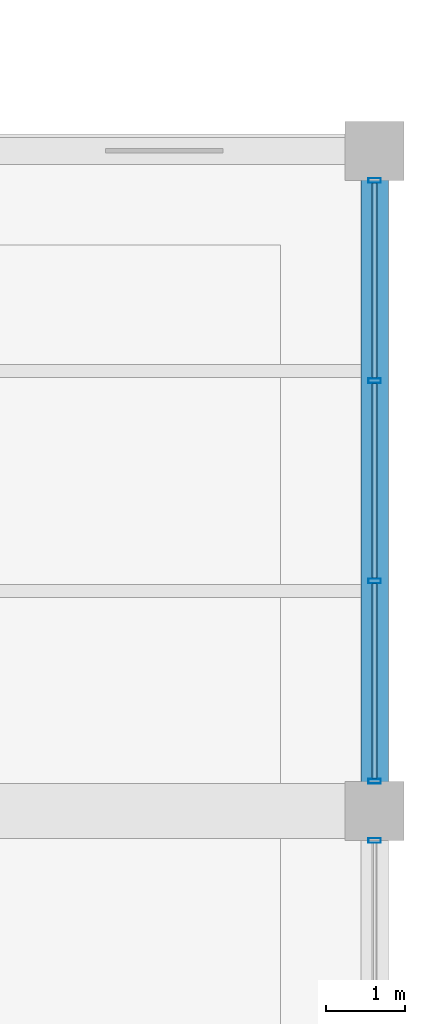
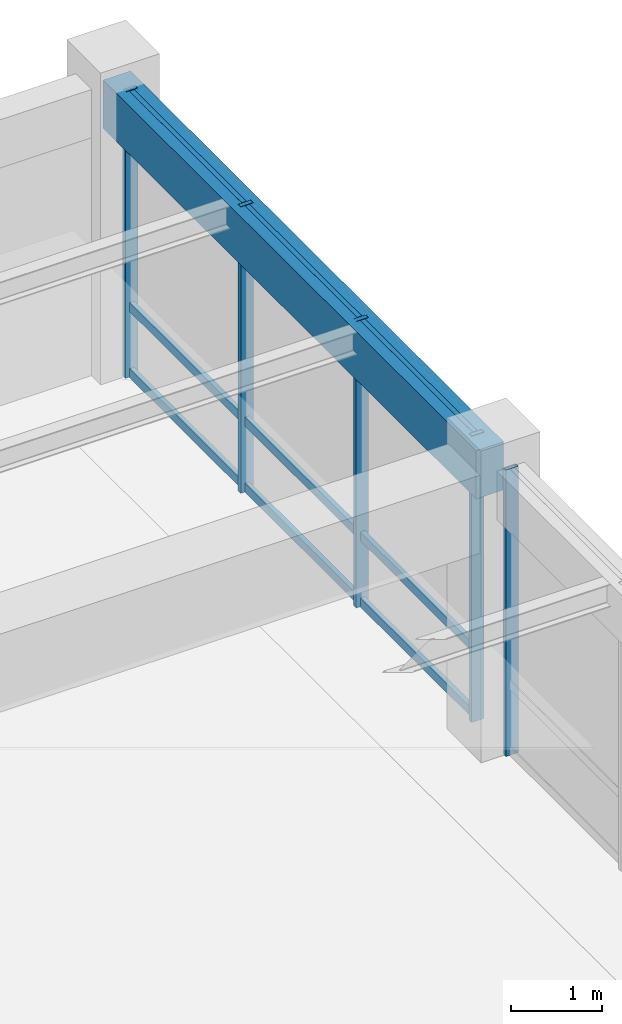
# One storey, part 110 of 152: 14 members, 1 beam, 2 elements without a shape of their own.
"""IFC4 building model written with IfcOpenShell, lengths in metres."""

from ifc_helpers import new_model, si_unit, direction, frame, origin, origin_2d, place, context, subcontext, project, spatial, rectangle, hollow_rectangle, extrude, material, material_profile, profile_set, type_object, element, aggregate, save


model = new_model("IFC4")

# Units and contexts
model_context = context("Model", 3, precision=1e-05, world=origin(), true_north=direction((0.0, 1.0)))
body_context = subcontext(model_context, "Body", "Model", "MODEL_VIEW")
ifc_project = project(units=[si_unit("LENGTHUNIT", "METRE"), si_unit("AREAUNIT", "SQUARE_METRE"), si_unit("VOLUMEUNIT", "CUBIC_METRE"), si_unit("PLANEANGLEUNIT", "RADIAN"), si_unit("MASSUNIT", "GRAM", prefix="KILO"), si_unit("THERMODYNAMICTEMPERATUREUNIT", "KELVIN"), si_unit("POWERUNIT", "WATT")], contexts=[model_context])

# Site, building, storey
site_placement = place(None, origin())
site = spatial("IfcSite", under=ifc_project, at=site_placement, CompositionType="ELEMENT")
building_placement = place(site_placement, origin())
building = spatial("IfcBuilding", under=site, at=building_placement, Name="Darbajah Civic Hall", CompositionType="ELEMENT")
storey_placement = place(building_placement, frame((0.0, 0.0, 5.39990234375)))
storey = spatial("IfcBuildingStorey", under=building, at=storey_placement, Name="L01", CompositionType="ELEMENT", Elevation=5.39990234375)

# Curtain wall, member
ifc_material_1 = material(Name="Anodised Bronze Aluminium and Low-E Glazing", Category="aluminium")
curtain_wall_type = type_object("IfcCurtainWallType", Name="Unitised Curtain Wall CW-96 7600x3850", PredefinedType="USERDEFINED", material=ifc_material_1)
curtain_wall_1_placement = place(storey_placement, origin())
curtain_wall_1 = element("IfcCurtainWall", 1, at=curtain_wall_1_placement, inside=storey, type_object=curtain_wall_type, Name="L01 unitised curtain wall CW-V4-L01-S1-B4", ObjectType="UNITISED CURTAIN WALL", PredefinedType="USERDEFINED")
ifc_material_2 = material(Name="Anodised Bronze Aluminium", Category="aluminium")
ifc_material_profile_1 = material_profile(ifc_material_2, hollow_rectangle(XDim=0.06005859375, YDim=0.159912109375, WallThickness=0.00341796875, at=origin_2d()), Name="ALU MULLION 60x160")
ifc_profile_set_1 = profile_set([ifc_material_profile_1], Name="Anodised Bronze Aluminium")
member_type_1 = type_object("IfcMemberType", Name="ALU MULLION 60x160", PredefinedType="MULLION", material=ifc_profile_set_1)
member_1_placement = place(storey_placement, frame((178.199951171875, 98.02294921875, 0.0), z_axis=(0.0, 0.0, 1.0), x_axis=(0.0, 1.0, 0.0)))
member_1 = element("IfcMember", 2, at=member_1_placement, type_object=member_type_1, Name="CW-V4-L01-S1-B4 mullion 4", PredefinedType="MULLION", context=body_context, shape_type="SweptSolid", body=[
    extrude(hollow_rectangle(XDim=0.06005859375, YDim=0.159912109375, WallThickness=0.00341796875, at=origin_2d()), origin(), (0.0, 0.0, 1.0), 3.860107421875),
])
aggregate(curtain_wall_1, [member_1])

# Curtain wall, members
curtain_wall_2_placement = place(storey_placement, origin())
curtain_wall_2 = element("IfcCurtainWall", 3, at=curtain_wall_2_placement, inside=storey, type_object=curtain_wall_type, Name="L01 unitised curtain wall CW-V4-L01-S1-B5", ObjectType="UNITISED CURTAIN WALL", PredefinedType="USERDEFINED")
member_2_placement = place(storey_placement, frame((178.199951171875, 98.777099609375, 0.0), z_axis=(0.0, 0.0, 1.0), x_axis=(0.0, 1.0, 0.0)))
member_2 = element("IfcMember", 4, at=member_2_placement, type_object=member_type_1, Name="CW-V4-L01-S1-B5 mullion 1", PredefinedType="MULLION", context=body_context, shape_type="SweptSolid", body=[
    extrude(hollow_rectangle(XDim=0.06005859375, YDim=0.159912109375, WallThickness=0.00341796875, at=origin_2d()), origin(), (0.0, 0.0, 1.0), 3.860107421875),
])
member_3_placement = place(storey_placement, frame((178.199951171875, 101.32568359375, 0.0), z_axis=(0.0, 0.0, 1.0), x_axis=(0.0, 1.0, 0.0)))
member_3 = element("IfcMember", 5, at=member_3_placement, type_object=member_type_1, Name="CW-V4-L01-S1-B5 mullion 2", PredefinedType="MULLION", context=body_context, shape_type="SweptSolid", body=[
    extrude(hollow_rectangle(XDim=0.06005859375, YDim=0.159912109375, WallThickness=0.00341796875, at=origin_2d()), origin(), (0.0, 0.0, 1.0), 3.860107421875),
])
member_4_placement = place(storey_placement, frame((178.199951171875, 103.874267578125, 0.0), z_axis=(0.0, 0.0, 1.0), x_axis=(0.0, 1.0, 0.0)))
member_4 = element("IfcMember", 6, at=member_4_placement, type_object=member_type_1, Name="CW-V4-L01-S1-B5 mullion 3", PredefinedType="MULLION", context=body_context, shape_type="SweptSolid", body=[
    extrude(hollow_rectangle(XDim=0.06005859375, YDim=0.159912109375, WallThickness=0.00341796875, at=origin_2d()), origin(), (0.0, 0.0, 1.0), 3.860107421875),
])
member_5_placement = place(storey_placement, frame((178.199951171875, 106.423095703125, 0.0), z_axis=(0.0, 0.0, 1.0), x_axis=(0.0, 1.0, 0.0)))
member_5 = element("IfcMember", 7, at=member_5_placement, type_object=member_type_1, Name="CW-V4-L01-S1-B5 mullion 4", PredefinedType="MULLION", context=body_context, shape_type="SweptSolid", body=[
    extrude(hollow_rectangle(XDim=0.06005859375, YDim=0.159912109375, WallThickness=0.00341796875, at=origin_2d()), origin(), (0.0, 0.0, 1.0), 3.860107421875),
])
ifc_material_profile_2 = material_profile(ifc_material_2, hollow_rectangle(XDim=0.06005859375, YDim=0.1201171875, WallThickness=0.003173828125, at=origin_2d()), Name="ALU TRANSOM 60x120")
ifc_profile_set_2 = profile_set([ifc_material_profile_2], Name="Anodised Bronze Aluminium")
member_type_2 = type_object("IfcMemberType", Name="ALU TRANSOM 60x120", PredefinedType="USERDEFINED", material=ifc_profile_set_2)
member_6_placement = place(storey_placement, frame((178.199951171875, 98.81201171875, 0.06005859375), z_axis=(0.0, 1.0, 0.0), x_axis=(-1.0, 0.0, 0.0)))
member_6 = element("IfcMember", 8, at=member_6_placement, type_object=member_type_2, Name="CW-V4-L01-S1-B5 transom 1.1", ObjectType="TRANSOM", PredefinedType="USERDEFINED", context=body_context, shape_type="SweptSolid", body=[
    extrude(hollow_rectangle(XDim=0.06005859375, YDim=0.1201171875, WallThickness=0.003173828125, at=origin_2d()), origin(), (0.0, 0.0, 1.0), 2.478759765625),
])
member_7_placement = place(storey_placement, frame((178.199951171875, 98.81201171875, 0.9501953125), z_axis=(0.0, 1.0, 0.0), x_axis=(-1.0, 0.0, 0.0)))
member_7 = element("IfcMember", 9, at=member_7_placement, type_object=member_type_2, Name="CW-V4-L01-S1-B5 transom 1.2", ObjectType="TRANSOM", PredefinedType="USERDEFINED", context=body_context, shape_type="SweptSolid", body=[
    extrude(hollow_rectangle(XDim=0.06005859375, YDim=0.1201171875, WallThickness=0.003173828125, at=origin_2d()), origin(), (0.0, 0.0, 1.0), 2.478759765625),
])
member_8_placement = place(storey_placement, frame((178.199951171875, 98.81201171875, 3.800048828125), z_axis=(0.0, 1.0, 0.0), x_axis=(-1.0, 0.0, 0.0)))
member_8 = element("IfcMember", 10, at=member_8_placement, type_object=member_type_2, Name="CW-V4-L01-S1-B5 transom 1.3", ObjectType="TRANSOM", PredefinedType="USERDEFINED", context=body_context, shape_type="SweptSolid", body=[
    extrude(hollow_rectangle(XDim=0.06005859375, YDim=0.1201171875, WallThickness=0.003173828125, at=origin_2d()), origin(), (0.0, 0.0, 1.0), 2.478759765625),
])
member_9_placement = place(storey_placement, frame((178.199951171875, 101.360595703125, 0.06005859375), z_axis=(0.0, 1.0, 0.0), x_axis=(-1.0, 0.0, 0.0)))
member_9 = element("IfcMember", 11, at=member_9_placement, type_object=member_type_2, Name="CW-V4-L01-S1-B5 transom 2.1", ObjectType="TRANSOM", PredefinedType="USERDEFINED", context=body_context, shape_type="SweptSolid", body=[
    extrude(hollow_rectangle(XDim=0.06005859375, YDim=0.1201171875, WallThickness=0.003173828125, at=origin_2d()), origin(), (0.0, 0.0, 1.0), 2.478759765625),
])
member_10_placement = place(storey_placement, frame((178.199951171875, 101.360595703125, 0.9501953125), z_axis=(0.0, 1.0, 0.0), x_axis=(-1.0, 0.0, 0.0)))
member_10 = element("IfcMember", 12, at=member_10_placement, type_object=member_type_2, Name="CW-V4-L01-S1-B5 transom 2.2", ObjectType="TRANSOM", PredefinedType="USERDEFINED", context=body_context, shape_type="SweptSolid", body=[
    extrude(hollow_rectangle(XDim=0.06005859375, YDim=0.1201171875, WallThickness=0.003173828125, at=origin_2d()), origin(), (0.0, 0.0, 1.0), 2.478759765625),
])
member_11_placement = place(storey_placement, frame((178.199951171875, 101.360595703125, 3.800048828125), z_axis=(0.0, 1.0, 0.0), x_axis=(-1.0, 0.0, 0.0)))
member_11 = element("IfcMember", 13, at=member_11_placement, type_object=member_type_2, Name="CW-V4-L01-S1-B5 transom 2.3", ObjectType="TRANSOM", PredefinedType="USERDEFINED", context=body_context, shape_type="SweptSolid", body=[
    extrude(hollow_rectangle(XDim=0.06005859375, YDim=0.1201171875, WallThickness=0.003173828125, at=origin_2d()), origin(), (0.0, 0.0, 1.0), 2.478759765625),
])
member_12_placement = place(storey_placement, frame((178.199951171875, 103.9091796875, 0.06005859375), z_axis=(0.0, 1.0, 0.0), x_axis=(-1.0, 0.0, 0.0)))
member_12 = element("IfcMember", 14, at=member_12_placement, type_object=member_type_2, Name="CW-V4-L01-S1-B5 transom 3.1", ObjectType="TRANSOM", PredefinedType="USERDEFINED", context=body_context, shape_type="SweptSolid", body=[
    extrude(hollow_rectangle(XDim=0.06005859375, YDim=0.1201171875, WallThickness=0.003173828125, at=origin_2d()), origin(), (0.0, 0.0, 1.0), 2.478759765625),
])
member_13_placement = place(storey_placement, frame((178.199951171875, 103.9091796875, 0.9501953125), z_axis=(0.0, 1.0, 0.0), x_axis=(-1.0, 0.0, 0.0)))
member_13 = element("IfcMember", 15, at=member_13_placement, type_object=member_type_2, Name="CW-V4-L01-S1-B5 transom 3.2", ObjectType="TRANSOM", PredefinedType="USERDEFINED", context=body_context, shape_type="SweptSolid", body=[
    extrude(hollow_rectangle(XDim=0.06005859375, YDim=0.1201171875, WallThickness=0.003173828125, at=origin_2d()), origin(), (0.0, 0.0, 1.0), 2.478759765625),
])
member_14_placement = place(storey_placement, frame((178.199951171875, 103.9091796875, 3.800048828125), z_axis=(0.0, 1.0, 0.0), x_axis=(-1.0, 0.0, 0.0)))
member_14 = element("IfcMember", 16, at=member_14_placement, type_object=member_type_2, Name="CW-V4-L01-S1-B5 transom 3.3", ObjectType="TRANSOM", PredefinedType="USERDEFINED", context=body_context, shape_type="SweptSolid", body=[
    extrude(hollow_rectangle(XDim=0.06005859375, YDim=0.1201171875, WallThickness=0.003173828125, at=origin_2d()), origin(), (0.0, 0.0, 1.0), 2.478759765625),
])
aggregate(curtain_wall_2, [member_2, member_3, member_4, member_5, member_6, member_7, member_8, member_9, member_10, member_11, member_12, member_13, member_14])

# Beam
ifc_material_3 = material(Name="Concrete C45/55", Category="concrete")
ifc_material_profile_3 = material_profile(ifc_material_3, rectangle(XDim=0.35009765625, YDim=0.64990234375, at=origin_2d()), Name="RC SPANDREL 350x650")
ifc_profile_set_3 = profile_set([ifc_material_profile_3], Name="Concrete C45/55")
beam_type = type_object("IfcBeamType", Name="RC SPANDREL 350x650", PredefinedType="SPANDREL", material=ifc_profile_set_3)
beam_placement = place(storey_placement, frame((178.199951171875, 98.47998046875, 3.53515625), z_axis=(0.0, 1.0, 0.0), x_axis=(-1.0, 0.0, 0.0)))
element("IfcBeam", 17, at=beam_placement, inside=storey, type_object=beam_type, Name="L01 beam SP-3565", PredefinedType="SPANDREL", context=body_context, shape_type="SweptSolid", body=[
    extrude(rectangle(XDim=0.35009765625, YDim=0.64990234375, at=origin_2d()), origin(), (0.0, 0.0, 1.0), 8.239990234375),
])

save(model, "model.ifc")
